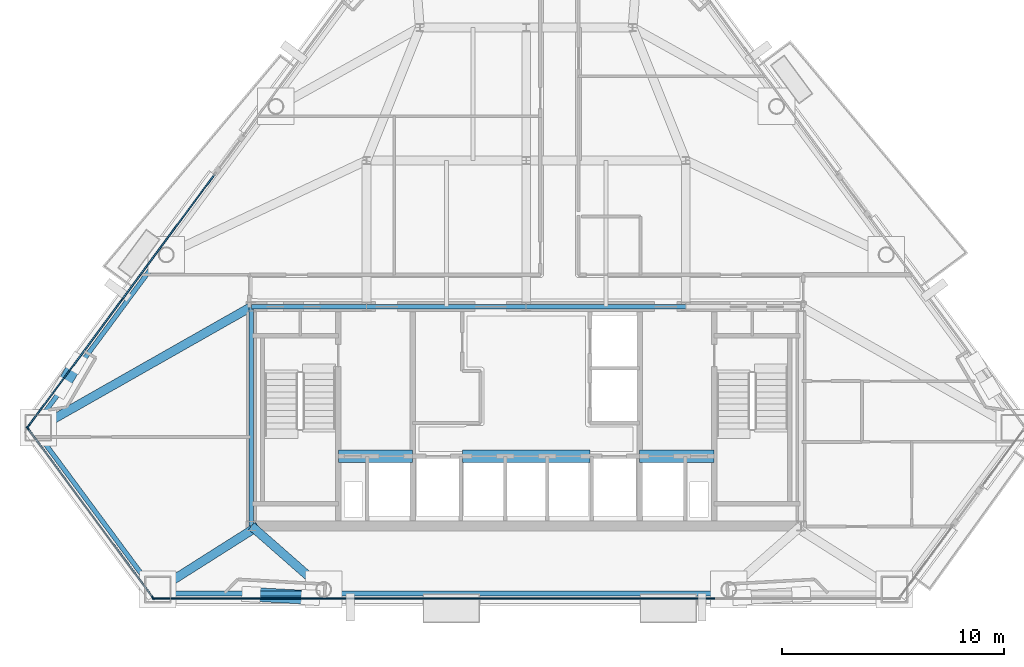
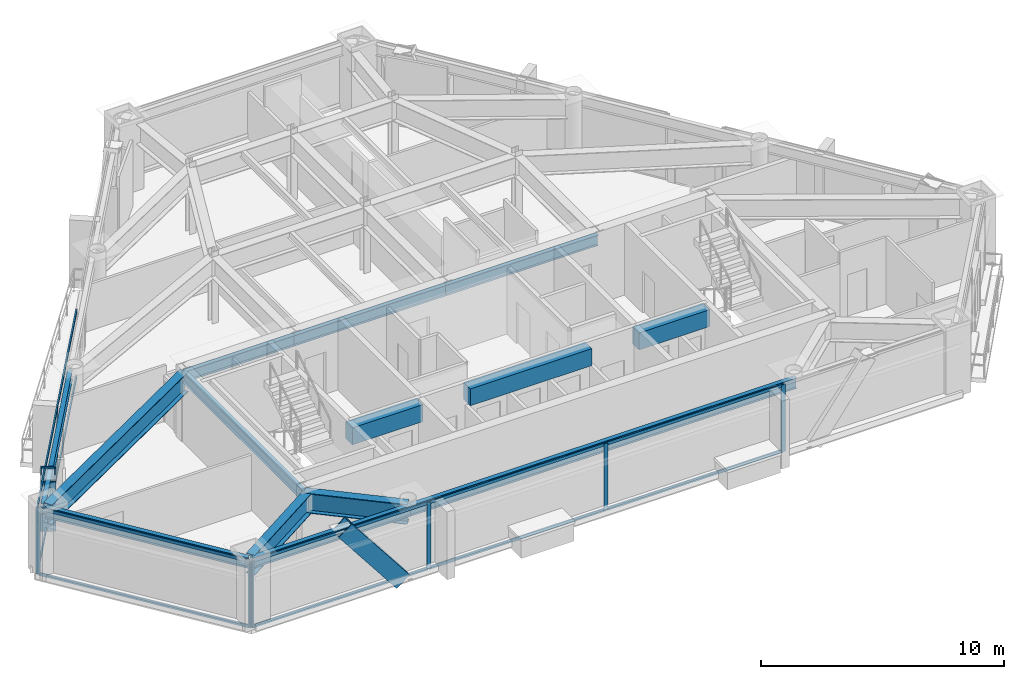
# One storey, part 3 of 11: 22 members, 14 beams, 3 elements without a shape of their own.
"""IFC4 building model written with IfcOpenShell, lengths in metres."""

from ifc_helpers import new_model, si_unit, direction, frame, origin, origin_2d, place, context, subcontext, project, spatial, rectangle, hollow_rectangle, i_section, extrude, material, layer, layer_set, material_profile, profile_set, type_object, element, aggregate, save


model = new_model("IFC4")

# Units and contexts
model_context = context("Model", 3, precision=1e-05, world=origin(), true_north=direction((0.0, 1.0)))
body_context = subcontext(model_context, "Body", "Model", "MODEL_VIEW")
ifc_project = project(units=[si_unit("LENGTHUNIT", "METRE"), si_unit("AREAUNIT", "SQUARE_METRE"), si_unit("VOLUMEUNIT", "CUBIC_METRE"), si_unit("PLANEANGLEUNIT", "RADIAN"), si_unit("MASSUNIT", "GRAM", prefix="KILO")], contexts=[model_context])

# Site, building, storey
site_placement = place(None, origin())
site = spatial("IfcSite", under=ifc_project, at=site_placement, CompositionType="ELEMENT")
building_placement = place(site_placement, origin())
building = spatial("IfcBuilding", under=site, at=building_placement, Name="Talgorran Terracotta Tower", CompositionType="ELEMENT")
storey_placement = place(building_placement, frame((0.0, 0.0, 125.699951171875)))
storey = spatial("IfcBuildingStorey", under=building, at=storey_placement, Name="L32", CompositionType="ELEMENT", Elevation=125.699951171875)

# Beams
ifc_material_1 = material(Name="Steel Grade 350 (350L0)", Category="steel")
ifc_material_profile_1 = material_profile(ifc_material_1, i_section(OverallWidth=0.39990234375, OverallDepth=1.0, WebThickness=0.01611328125, FlangeThickness=0.031005859375, at=origin_2d()), Name="1000WB296")
ifc_profile_set_1 = profile_set([ifc_material_profile_1], Name="Steel Grade 350 (350L0)")
beam_type_1 = type_object("IfcBeamType", Name="BM_1000WB296", PredefinedType="BEAM", material=ifc_profile_set_1)
beam_1_placement = place(storey_placement, frame((-9.14013671875, -16.96337890625, 2.85009765625), z_axis=(-0.751320451725, 0.659937556758, 0.0), x_axis=(-0.659937556758, -0.751320451725, 0.0)))
element("IfcBeam", 1, at=beam_1_placement, inside=storey, type_object=beam_type_1, Name="L32 South-West Core Tie Beam", PredefinedType="BEAM", context=body_context, shape_type="SweptSolid", body=[
    extrude(i_section(OverallWidth=0.39990234375, OverallDepth=1.0, WebThickness=0.01611328125, FlangeThickness=0.031005859375, at=origin_2d()), origin(), (0.0, 0.0, 1.0), 4.338623046875),
])
beam_2_placement = place(storey_placement, frame((-16.618408203125, -16.96337890625, 2.85009765625), z_axis=(0.844676693729, 0.535276828446, 0.0), x_axis=(-0.535276828446, 0.844676693729, 0.0)))
element("IfcBeam", 2, at=beam_2_placement, inside=storey, type_object=beam_type_1, Name="L32 Perimeter Step Girder 2", PredefinedType="BEAM", context=body_context, shape_type="SweptSolid", body=[
    extrude(i_section(OverallWidth=0.39990234375, OverallDepth=1.0, WebThickness=0.01611328125, FlangeThickness=0.031005859375, at=origin_2d()), origin(), (0.0, 0.0, 1.0), 5.34912109375),
])
beam_3_placement = place(storey_placement, frame((-12.39990234375, -4.199951171875, 2.85009765625), z_axis=(-0.869581927132, -0.493788691654, 0.0), x_axis=(0.493788691654, -0.869581927132, 0.0)))
element("IfcBeam", 3, at=beam_3_placement, inside=storey, type_object=beam_type_1, Name="L32 Floor Girder G17", PredefinedType="BEAM", context=body_context, shape_type="SweptSolid", body=[
    extrude(i_section(OverallWidth=0.39990234375, OverallDepth=1.0, WebThickness=0.01611328125, FlangeThickness=0.031005859375, at=origin_2d()), origin(), (0.0, 0.0, 1.0), 11.061279296875),
])
ifc_material_2 = material(Name="Concrete C50/60", Category="concrete")
ifc_material_profile_2 = material_profile(ifc_material_2, rectangle(XDim=0.550048828125, YDim=0.85009765625, at=origin_2d()), Name="RCCB550X850")
ifc_profile_set_2 = profile_set([ifc_material_profile_2], Name="Concrete C50/60")
beam_type_2 = type_object("IfcBeamType", Name="BM_CB_550X850", PredefinedType="LINTEL", material=ifc_profile_set_2)
beam_4_placement = place(storey_placement, frame((-8.47998046875, -10.949951171875, 2.925048828125), z_axis=(1.0, 0.0, 0.0), x_axis=(0.0, 1.0, 0.0)))
element("IfcBeam", 4, at=beam_4_placement, inside=storey, type_object=beam_type_2, Name="L32 Core Shear-Wall Coupling Beam CB1", PredefinedType="LINTEL", context=body_context, shape_type="SweptSolid", body=[
    extrude(rectangle(XDim=0.550048828125, YDim=0.85009765625, at=origin_2d()), origin(), (0.0, 0.0, 1.0), 3.35986328125),
])
beam_5_placement = place(storey_placement, frame((-2.8798828125, -10.949951171875, 2.925048828125), z_axis=(1.0, 0.0, 0.0), x_axis=(0.0, 1.0, 0.0)))
element("IfcBeam", 5, at=beam_5_placement, inside=storey, type_object=beam_type_2, Name="L32 Core Shear-Wall Coupling Beam CB2", PredefinedType="LINTEL", context=body_context, shape_type="SweptSolid", body=[
    extrude(rectangle(XDim=0.550048828125, YDim=0.85009765625, at=origin_2d()), origin(), (0.0, 0.0, 1.0), 5.759765625),
])
beam_6_placement = place(storey_placement, frame((5.1201171875, -10.949951171875, 2.925048828125), z_axis=(1.0, 0.0, 0.0), x_axis=(0.0, 1.0, 0.0)))
element("IfcBeam", 6, at=beam_6_placement, inside=storey, type_object=beam_type_2, Name="L32 Core Shear-Wall Coupling Beam CB3", PredefinedType="LINTEL", context=body_context, shape_type="SweptSolid", body=[
    extrude(rectangle(XDim=0.550048828125, YDim=0.85009765625, at=origin_2d()), origin(), (0.0, 0.0, 1.0), 3.35986328125),
])
ifc_material_3 = material(Name="Steel S355 (300PLUS)", Category="steel")
ifc_material_profile_3 = material_profile(ifc_material_3, i_section(OverallWidth=0.209228515625, OverallDepth=0.532958984375, WebThickness=0.01025390625, FlangeThickness=0.015625, at=origin_2d()), Name="530UB92.4")
ifc_profile_set_3 = profile_set([ifc_material_profile_3], Name="Steel S355 (300PLUS)")
beam_type_3 = type_object("IfcBeamType", Name="BM_SP_530UB92", PredefinedType="SPANDREL", material=ifc_profile_set_3)
beam_7_placement = place(storey_placement, frame((-22.1630859375, -9.768798828125, 3.08349609375), z_axis=(0.594631406603, -0.803998439228, 0.0), x_axis=(0.803998439228, 0.594631406603, 0.0)))
element("IfcBeam", 7, at=beam_7_placement, inside=storey, type_object=beam_type_3, Name="L32 Perimeter Spandrel Beam MC1-MC2", PredefinedType="SPANDREL", context=body_context, shape_type="SweptSolid", body=[
    extrude(i_section(OverallWidth=0.209228515625, OverallDepth=0.532958984375, WebThickness=0.01025390625, FlangeThickness=0.015625, at=origin_2d()), origin(), (0.0, 0.0, 1.0), 9.08154296875),
])
beam_8_placement = place(storey_placement, frame((-16.618408203125, -17.143310546875, 3.08349609375), z_axis=(1.0, 0.0, 0.0), x_axis=(0.0, 1.0, 0.0)))
element("IfcBeam", 8, at=beam_8_placement, inside=storey, type_object=beam_type_3, Name="L32 Perimeter Spandrel Beam MC2-FC1", PredefinedType="SPANDREL", context=body_context, shape_type="SweptSolid", body=[
    extrude(i_section(OverallWidth=0.209228515625, OverallDepth=0.532958984375, WebThickness=0.01025390625, FlangeThickness=0.015625, at=origin_2d()), origin(), (0.0, 0.0, 1.0), 7.478271484375),
])
beam_9_placement = place(storey_placement, frame((-9.14013671875, -17.143310546875, 3.08349609375), z_axis=(1.0, 0.0, 0.0), x_axis=(0.0, 1.0, 0.0)))
element("IfcBeam", 9, at=beam_9_placement, inside=storey, type_object=beam_type_3, Name="L32 Perimeter Spandrel Beam FC1-FC2", PredefinedType="SPANDREL", context=body_context, shape_type="SweptSolid", body=[
    extrude(i_section(OverallWidth=0.209228515625, OverallDepth=0.532958984375, WebThickness=0.01025390625, FlangeThickness=0.015625, at=origin_2d()), origin(), (0.0, 0.0, 1.0), 18.2802734375),
])
beam_10_placement = place(storey_placement, frame((-16.3896484375, -1.74853515625, 3.08349609375), z_axis=(-0.594623640759, -0.804004182732, 0.0), x_axis=(0.804004182732, -0.594623640759, 0.0)))
element("IfcBeam", 10, at=beam_10_placement, inside=storey, type_object=beam_type_3, Name="L32 Perimeter Spandrel Beam FC6-MC1", PredefinedType="SPANDREL", context=body_context, shape_type="SweptSolid", body=[
    extrude(i_section(OverallWidth=0.209228515625, OverallDepth=0.532958984375, WebThickness=0.01025390625, FlangeThickness=0.015625, at=origin_2d()), origin(), (0.0, 0.0, 1.0), 9.70947265625),
])
beam_11_placement = place(storey_placement, frame((-12.39990234375, -14.10009765625, 3.08349609375), z_axis=(0.0, 1.0, 0.0), x_axis=(-1.0, 0.0, 0.0)))
element("IfcBeam", 11, at=beam_11_placement, inside=storey, type_object=beam_type_3, Name="L32 Core Frame Beam CFW", PredefinedType="SPANDREL", context=body_context, shape_type="SweptSolid", body=[
    extrude(i_section(OverallWidth=0.209228515625, OverallDepth=0.532958984375, WebThickness=0.01025390625, FlangeThickness=0.015625, at=origin_2d()), origin(), (0.0, 0.0, 1.0), 9.900146484375),
])
beam_12_placement = place(storey_placement, frame((-12.39990234375, -4.199951171875, 3.08349609375), z_axis=(1.0, 0.0, 0.0), x_axis=(0.0, 1.0, 0.0)))
element("IfcBeam", 12, at=beam_12_placement, inside=storey, type_object=beam_type_3, Name="L32 Core Frame Beam CFN1", PredefinedType="SPANDREL", context=body_context, shape_type="SweptSolid", body=[
    extrude(i_section(OverallWidth=0.209228515625, OverallDepth=0.532958984375, WebThickness=0.01025390625, FlangeThickness=0.015625, at=origin_2d()), origin(), (0.0, 0.0, 1.0), 5.199951171875),
])
for number, where, z_axis, x_axis, name in (
    (13, (-7.199951171875, -4.199951171875, 3.08349609375), (1.0, 0.0, 0.0), (0.0, 1.0, 0.0), "L32 Core Frame Beam CFN2"),
    (14, (0.0, -4.199951171875, 3.08349609375), (1.0, 0.0, 0.0), (0.0, 1.0, 0.0), "L32 Core Frame Beam CFN3"),
):
    element("IfcBeam", number, at=place(storey_placement, frame(where, z_axis=z_axis, x_axis=x_axis)), inside=storey, type_object=beam_type_3, Name=name, PredefinedType="SPANDREL", context=body_context, shape_type="SweptSolid", body=[
        extrude(i_section(OverallWidth=0.209228515625, OverallDepth=0.532958984375, WebThickness=0.01025390625, FlangeThickness=0.015625, at=origin_2d()), origin(), (0.0, 0.0, 1.0), 7.199951171875),
    ])

# Members
ifc_material_profile_4 = material_profile(ifc_material_1, hollow_rectangle(XDim=0.6201171875, YDim=0.780029296875, WallThickness=0.0419921875, at=origin_2d()), Name="WBOX780X620X42")
ifc_profile_set_4 = profile_set([ifc_material_profile_4], Name="Steel Grade 350 (350L0)")
member_type_1 = type_object("IfcMemberType", Name="MB_MEGA_780", PredefinedType="BRACE", material=ifc_profile_set_4)
member_1_placement = place(storey_placement, frame((-9.743896484375, -17.3232421875, -0.02490234375), z_axis=(-0.616958688075, 0.033368956223, 0.786287790805), x_axis=(-0.05400727194, -0.99854054228, 0.0)))
element("IfcMember", 15, at=member_1_placement, inside=storey, type_object=member_type_1, Name="L32 Exterior Face Mega-Brace MB-2 (SWF)", PredefinedType="BRACE", context=body_context, shape_type="SweptSolid", body=[
    extrude(hollow_rectangle(XDim=0.6201171875, YDim=0.780029296875, WallThickness=0.0419921875, at=origin_2d()), origin(), (0.0, 0.0, 1.0), 4.323974609375),
])
member_2_placement = place(storey_placement, frame((-20.303955078125, -6.73828125, -0.02490234375), z_axis=(-0.180639087791, -0.307884668756, 0.934118060369), x_axis=(0.862508502611, -0.506042570268, 0.0)))
element("IfcMember", 16, at=member_2_placement, inside=storey, type_object=member_type_1, Name="L32 Exterior Face Mega-Brace MB-2 (NWL)", PredefinedType="BRACE", context=body_context, shape_type="SweptSolid", body=[
    extrude(hollow_rectangle(XDim=0.6201171875, YDim=0.780029296875, WallThickness=0.0419921875, at=origin_2d()), origin(), (0.0, 0.0, 1.0), 3.6396484375),
])

# Curtain wall, members
ifc_material_4 = material(Name="Unitised Low-E Double Glazing", Category="glass")
ifc_layer = layer(ifc_material_4, 0.199951171875, Name="CW_SYS2_RES_LOW")
ifc_layer_set = layer_set([ifc_layer], Name="Unitised Low-E Double Glazing")
curtain_wall_type = type_object("IfcCurtainWallType", Name="CW_SYS2_RES_LOW", PredefinedType="NOTDEFINED", material=ifc_layer_set)
curtain_wall_1_placement = place(storey_placement, origin())
curtain_wall_1 = element("IfcCurtainWall", 17, at=curtain_wall_1_placement, inside=storey, type_object=curtain_wall_type, Name="CW-L32-F0", PredefinedType="NOTDEFINED")
ifc_material_5 = material(Name="Architectural Aluminium 6063-T6", Category="aluminium")
ifc_material_profile_5 = material_profile(ifc_material_5, rectangle(XDim=0.06494140625, YDim=0.18505859375, at=origin_2d()), Name="CWM65X185")
ifc_profile_set_5 = profile_set([ifc_material_profile_5], Name="Architectural Aluminium 6063-T6")
member_type_2 = type_object("IfcMemberType", Name="MUL_65X185", PredefinedType="MULLION", material=ifc_profile_set_5)
member_3_placement = place(storey_placement, frame((-22.49658203125, -9.68798828125, 0.0), z_axis=(0.0, 0.0, 1.0), x_axis=(0.803993423692, 0.594638188027, 0.0)))
member_3 = element("IfcMember", 18, at=member_3_placement, type_object=member_type_2, Name="CW-L32-0 mullion 1", PredefinedType="MULLION", context=body_context, shape_type="SweptSolid", body=[
    extrude(rectangle(XDim=0.06494140625, YDim=0.18505859375, at=origin_2d()), origin(), (0.0, 0.0, 1.0), 3.35009765625),
])
member_4_placement = place(storey_placement, frame((-16.83935546875, -17.337158203125, 0.0), z_axis=(0.0, 0.0, 1.0), x_axis=(0.803993423692, 0.594638188027, 0.0)))
member_4 = element("IfcMember", 19, at=member_4_placement, type_object=member_type_2, Name="CW-L32-0 mullion 2", PredefinedType="MULLION", context=body_context, shape_type="SweptSolid", body=[
    extrude(rectangle(XDim=0.06494140625, YDim=0.18505859375, at=origin_2d()), origin(), (0.0, 0.0, 1.0), 3.35009765625),
])

curtain_wall_2_placement = place(storey_placement, origin())
curtain_wall_2 = element("IfcCurtainWall", 20, at=curtain_wall_2_placement, inside=storey, type_object=curtain_wall_type, Name="CW-L32-F1", PredefinedType="NOTDEFINED")
member_5_placement = place(storey_placement, frame((-16.78759765625, -17.36328125, 0.0), z_axis=(0.0, 0.0, 1.0), x_axis=(0.0, 1.0, 0.0)))
member_5 = element("IfcMember", 21, at=member_5_placement, type_object=member_type_2, Name="CW-L32-1 mullion 1", PredefinedType="MULLION", context=body_context, shape_type="SweptSolid", body=[
    extrude(rectangle(XDim=0.06494140625, YDim=0.18505859375, at=origin_2d()), origin(), (0.0, 0.0, 1.0), 3.35009765625),
])
member_6_placement = place(storey_placement, frame((-8.409912109375, -17.36328125, 0.0), z_axis=(0.0, 0.0, 1.0), x_axis=(0.0, 1.0, 0.0)))
member_6 = element("IfcMember", 22, at=member_6_placement, type_object=member_type_2, Name="CW-L32-1 mullion 2", PredefinedType="MULLION", context=body_context, shape_type="SweptSolid", body=[
    extrude(rectangle(XDim=0.06494140625, YDim=0.18505859375, at=origin_2d()), origin(), (0.0, 0.0, 1.0), 3.35009765625),
])
member_7_placement = place(storey_placement, frame((0.0, -17.36328125, 0.0), z_axis=(0.0, 0.0, 1.0), x_axis=(0.0, 1.0, 0.0)))
member_7 = element("IfcMember", 23, at=member_7_placement, type_object=member_type_2, Name="CW-L32-1 mullion 3", PredefinedType="MULLION", context=body_context, shape_type="SweptSolid", body=[
    extrude(rectangle(XDim=0.06494140625, YDim=0.18505859375, at=origin_2d()), origin(), (0.0, 0.0, 1.0), 3.35009765625),
])
member_8_placement = place(storey_placement, frame((8.409912109375, -17.36328125, 0.0), z_axis=(0.0, 0.0, 1.0), x_axis=(0.0, 1.0, 0.0)))
member_8 = element("IfcMember", 24, at=member_8_placement, type_object=member_type_2, Name="CW-L32-1 mullion 4", PredefinedType="MULLION", context=body_context, shape_type="SweptSolid", body=[
    extrude(rectangle(XDim=0.06494140625, YDim=0.18505859375, at=origin_2d()), origin(), (0.0, 0.0, 1.0), 3.35009765625),
])

curtain_wall_3_placement = place(storey_placement, origin())
curtain_wall_3 = element("IfcCurtainWall", 25, at=curtain_wall_3_placement, inside=storey, type_object=curtain_wall_type, Name="CW-L32-F61", PredefinedType="NOTDEFINED")
member_9_placement = place(storey_placement, frame((-18.2607421875, -3.90869140625, 0.0), z_axis=(0.0, 0.0, 1.0), x_axis=(0.80399400566, -0.594637401163, 0.0)))
member_9 = element("IfcMember", 26, at=member_9_placement, type_object=member_type_2, Name="CW-L32-61 mullion 2", PredefinedType="MULLION", context=body_context, shape_type="SweptSolid", body=[
    extrude(rectangle(XDim=0.06494140625, YDim=0.18505859375, at=origin_2d()), origin(), (0.0, 0.0, 1.0), 3.35009765625),
])
member_10_placement = place(storey_placement, frame((-22.472900390625, -9.603515625, 0.0), z_axis=(0.0, 0.0, 1.0), x_axis=(0.80399400566, -0.594637401163, 0.0)))
member_10 = element("IfcMember", 27, at=member_10_placement, type_object=member_type_2, Name="CW-L32-61 mullion 3", PredefinedType="MULLION", context=body_context, shape_type="SweptSolid", body=[
    extrude(rectangle(XDim=0.06494140625, YDim=0.18505859375, at=origin_2d()), origin(), (0.0, 0.0, 1.0), 3.35009765625),
])

# Member
ifc_material_profile_6 = material_profile(ifc_material_5, rectangle(XDim=0.06494140625, YDim=0.14990234375, at=origin_2d()), Name="CWT65X150")
ifc_profile_set_6 = profile_set([ifc_material_profile_6], Name="Architectural Aluminium 6063-T6")
member_type_3 = type_object("IfcMemberType", Name="TRN_65X150", PredefinedType="USERDEFINED", material=ifc_profile_set_6)
member_11_placement = place(storey_placement, frame((-22.477294921875, -9.714111328125, 0.032470703125), z_axis=(0.594632956337, -0.803997293054, 0.0), x_axis=(0.803997293054, 0.594632956337, 0.0)))
member_11 = element("IfcMember", 28, at=member_11_placement, type_object=member_type_3, Name="CW-L32-0 transom 1.1", ObjectType="TRANSOM", PredefinedType="USERDEFINED", context=body_context, shape_type="SweptSolid", body=[
    extrude(rectangle(XDim=0.06494140625, YDim=0.14990234375, at=origin_2d()), origin(), (0.0, 0.0, 1.0), 9.448974609375),
])

member_12_placement = place(storey_placement, frame((-22.477294921875, -9.714111328125, 3.317626953125), z_axis=(0.594632956337, -0.803997293054, 0.0), x_axis=(0.803997293054, 0.594632956337, 0.0)))
member_12 = element("IfcMember", 29, at=member_12_placement, type_object=member_type_3, Name="CW-L32-0 transom 1.2", ObjectType="TRANSOM", PredefinedType="USERDEFINED", context=body_context, shape_type="SweptSolid", body=[
    extrude(rectangle(XDim=0.06494140625, YDim=0.14990234375, at=origin_2d()), origin(), (0.0, 0.0, 1.0), 9.448974609375),
])

aggregate(curtain_wall_1, [member_3, member_4, member_11, member_12])

member_13_placement = place(storey_placement, frame((-16.7548828125, -17.36328125, 0.032470703125), z_axis=(1.0, 0.0, 0.0), x_axis=(0.0, 1.0, 0.0)))
member_13 = element("IfcMember", 30, at=member_13_placement, type_object=member_type_3, Name="CW-L32-1 transom 1.1", ObjectType="TRANSOM", PredefinedType="USERDEFINED", context=body_context, shape_type="SweptSolid", body=[
    extrude(rectangle(XDim=0.06494140625, YDim=0.14990234375, at=origin_2d()), origin(), (0.0, 0.0, 1.0), 8.3125),
])

member_14_placement = place(storey_placement, frame((-16.7548828125, -17.36328125, 3.317626953125), z_axis=(1.0, 0.0, 0.0), x_axis=(0.0, 1.0, 0.0)))
member_14 = element("IfcMember", 31, at=member_14_placement, type_object=member_type_3, Name="CW-L32-1 transom 1.2", ObjectType="TRANSOM", PredefinedType="USERDEFINED", context=body_context, shape_type="SweptSolid", body=[
    extrude(rectangle(XDim=0.06494140625, YDim=0.14990234375, at=origin_2d()), origin(), (0.0, 0.0, 1.0), 8.3125),
])

member_15_placement = place(storey_placement, frame((-8.37744140625, -17.36328125, 0.032470703125), z_axis=(1.0, 0.0, 0.0), x_axis=(0.0, 1.0, 0.0)))
member_15 = element("IfcMember", 32, at=member_15_placement, type_object=member_type_3, Name="CW-L32-1 transom 2.1", ObjectType="TRANSOM", PredefinedType="USERDEFINED", context=body_context, shape_type="SweptSolid", body=[
    extrude(rectangle(XDim=0.06494140625, YDim=0.14990234375, at=origin_2d()), origin(), (0.0, 0.0, 1.0), 8.344970703125),
])

member_16_placement = place(storey_placement, frame((-8.37744140625, -17.36328125, 3.317626953125), z_axis=(1.0, 0.0, 0.0), x_axis=(0.0, 1.0, 0.0)))
member_16 = element("IfcMember", 33, at=member_16_placement, type_object=member_type_3, Name="CW-L32-1 transom 2.2", ObjectType="TRANSOM", PredefinedType="USERDEFINED", context=body_context, shape_type="SweptSolid", body=[
    extrude(rectangle(XDim=0.06494140625, YDim=0.14990234375, at=origin_2d()), origin(), (0.0, 0.0, 1.0), 8.344970703125),
])

member_17_placement = place(storey_placement, frame((0.032470703125, -17.36328125, 0.032470703125), z_axis=(1.0, 0.0, 0.0), x_axis=(0.0, 1.0, 0.0)))
member_17 = element("IfcMember", 34, at=member_17_placement, type_object=member_type_3, Name="CW-L32-1 transom 3.1", ObjectType="TRANSOM", PredefinedType="USERDEFINED", context=body_context, shape_type="SweptSolid", body=[
    extrude(rectangle(XDim=0.06494140625, YDim=0.14990234375, at=origin_2d()), origin(), (0.0, 0.0, 1.0), 8.344970703125),
])

member_18_placement = place(storey_placement, frame((0.032470703125, -17.36328125, 3.317626953125), z_axis=(1.0, 0.0, 0.0), x_axis=(0.0, 1.0, 0.0)))
member_18 = element("IfcMember", 35, at=member_18_placement, type_object=member_type_3, Name="CW-L32-1 transom 3.2", ObjectType="TRANSOM", PredefinedType="USERDEFINED", context=body_context, shape_type="SweptSolid", body=[
    extrude(rectangle(XDim=0.06494140625, YDim=0.14990234375, at=origin_2d()), origin(), (0.0, 0.0, 1.0), 8.344970703125),
])

aggregate(curtain_wall_2, [member_5, member_6, member_7, member_8, member_13, member_14, member_15, member_16, member_17, member_18])

member_19_placement = place(storey_placement, frame((-14.068115234375, 1.76025390625, 0.032470703125), z_axis=(-0.594626753318, -0.804001880743, 0.0), x_axis=(0.804001880743, -0.594626753318, 0.0)))
member_19 = element("IfcMember", 36, at=member_19_placement, type_object=member_type_3, Name="CW-L32-61 transom 1.1", ObjectType="TRANSOM", PredefinedType="USERDEFINED", context=body_context, shape_type="SweptSolid", body=[
    extrude(rectangle(XDim=0.06494140625, YDim=0.14990234375, at=origin_2d()), origin(), (0.0, 0.0, 1.0), 7.018310546875),
])

member_20_placement = place(storey_placement, frame((-14.068115234375, 1.76025390625, 3.317626953125), z_axis=(-0.594626753318, -0.804001880743, 0.0), x_axis=(0.804001880743, -0.594626753318, 0.0)))
member_20 = element("IfcMember", 37, at=member_20_placement, type_object=member_type_3, Name="CW-L32-61 transom 1.2", ObjectType="TRANSOM", PredefinedType="USERDEFINED", context=body_context, shape_type="SweptSolid", body=[
    extrude(rectangle(XDim=0.06494140625, YDim=0.14990234375, at=origin_2d()), origin(), (0.0, 0.0, 1.0), 7.018310546875),
])

member_21_placement = place(storey_placement, frame((-18.2802734375, -3.934814453125, 0.032470703125), z_axis=(-0.594643384039, -0.803989580666, 0.0), x_axis=(0.803989580666, -0.594643384039, 0.0)))
member_21 = element("IfcMember", 38, at=member_21_placement, type_object=member_type_3, Name="CW-L32-61 transom 2.1", ObjectType="TRANSOM", PredefinedType="USERDEFINED", context=body_context, shape_type="SweptSolid", body=[
    extrude(rectangle(XDim=0.06494140625, YDim=0.14990234375, at=origin_2d()), origin(), (0.0, 0.0, 1.0), 7.018310546875),
])

member_22_placement = place(storey_placement, frame((-18.2802734375, -3.934814453125, 3.317626953125), z_axis=(-0.594643384039, -0.803989580666, 0.0), x_axis=(0.803989580666, -0.594643384039, 0.0)))
member_22 = element("IfcMember", 39, at=member_22_placement, type_object=member_type_3, Name="CW-L32-61 transom 2.2", ObjectType="TRANSOM", PredefinedType="USERDEFINED", context=body_context, shape_type="SweptSolid", body=[
    extrude(rectangle(XDim=0.06494140625, YDim=0.14990234375, at=origin_2d()), origin(), (0.0, 0.0, 1.0), 7.018310546875),
])

aggregate(curtain_wall_3, [member_9, member_10, member_19, member_20, member_21, member_22])

save(model, "model.ifc")
